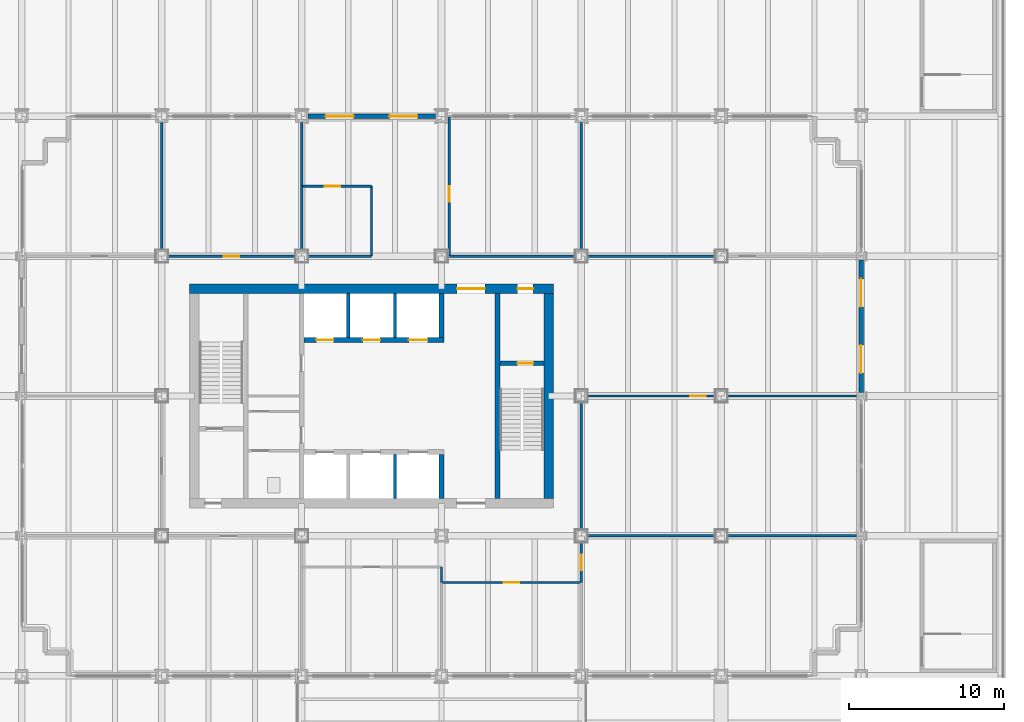
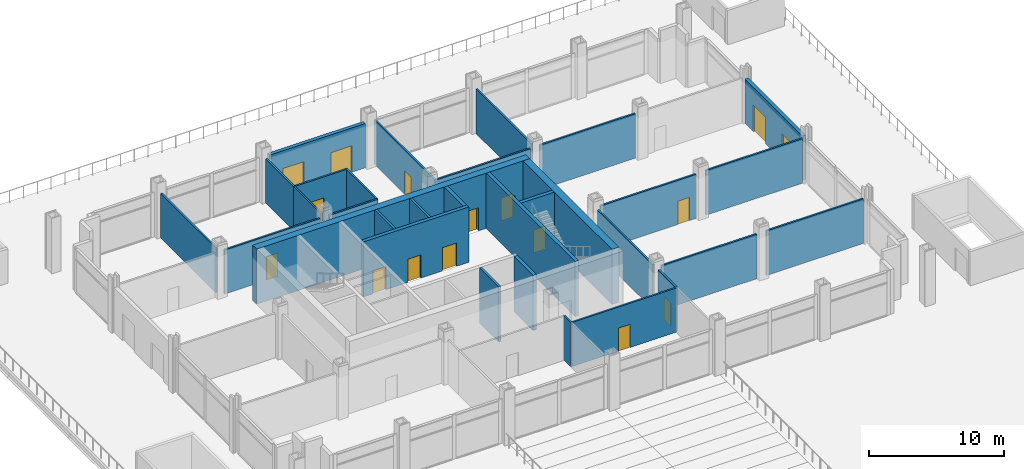
# One storey, part 9 of 16: 31 walls, 16 doors, 16 openings.
"""IFC4 building model written with IfcOpenShell, lengths in metres."""

from ifc_helpers import new_model, si_unit, direction, frame, frame_2d, origin, place, context, subcontext, project, spatial, rectangle, extrude, material, layer, layer_set, type_object, element, fill, save


model = new_model("IFC4")

# Units and contexts
model_context = context("Model", 3, precision=1e-05, world=origin(), true_north=direction((0.0, 1.0)))
body_context = subcontext(model_context, "Body", "Model", "MODEL_VIEW")
ifc_project = project(units=[si_unit("LENGTHUNIT", "METRE"), si_unit("AREAUNIT", "SQUARE_METRE"), si_unit("VOLUMEUNIT", "CUBIC_METRE"), si_unit("PLANEANGLEUNIT", "RADIAN"), si_unit("MASSUNIT", "GRAM", prefix="KILO")], contexts=[model_context])

# Site, building, storey
site_placement = place(None, origin())
site = spatial("IfcSite", under=ifc_project, at=site_placement, CompositionType="ELEMENT")
building_placement = place(site_placement, origin())
building = spatial("IfcBuilding", under=site, at=building_placement, Name="Loomwork Tower", CompositionType="ELEMENT")
storey_placement = place(building_placement, frame((0.0, 0.0, 23.0)))
storey = spatial("IfcBuildingStorey", under=building, at=storey_placement, Name="L04", CompositionType="ELEMENT", Elevation=23.0)

# Wall
ifc_material_1 = material(Name="Concrete 14000 psi (97 MPa)", Category="concrete")
ifc_layer_1 = layer(ifc_material_1, 0.300048828125)
ifc_layer_set_1 = layer_set([ifc_layer_1], Name="Core shear wall 300")
wall_type_1 = type_object("IfcWallType", Name="Core shear wall 300", PredefinedType="SHEAR", material=ifc_layer_set_1)
wall_1_placement = place(storey_placement, frame((27.0, 11.39990234375, 0.0), z_axis=(0.0, 0.0, 1.0), x_axis=(0.0, 1.0, 0.0)))
element("IfcWall", 1, at=wall_1_placement, inside=storey, type_object=wall_type_1, Name="Lift shaft end wall south L04", PredefinedType="SHEAR", context=body_context, shape_type="SweptSolid", body=[
    extrude(rectangle(XDim=2.85009765625, YDim=0.300048828125, at=frame_2d((1.425048828125, 0.0))), origin(), (0.0, 0.0, 1.0), 5.0),
])

# Wall, openings, doors
wall_2_placement = place(storey_placement, frame((18.14990234375, 21.60009765625, 0.0), z_axis=(0.0, 0.0, 1.0), x_axis=(1.0, 0.0, 0.0)))
wall_2 = element("IfcWall", 2, at=wall_2_placement, inside=storey, type_object=wall_type_1, Name="Lift front wall north L04", PredefinedType="SHEAR", context=body_context, shape_type="SweptSolid", body=[
    extrude(rectangle(XDim=9.0, YDim=0.300048828125, at=frame_2d((4.5, 0.0))), origin(), (0.0, 0.0, 1.0), 5.0),
])
opening_1_placement = place(wall_2_placement, frame((0.800048828125, 0.0, 0.0)))
opening_1 = element("IfcOpeningElement", 3, at=opening_1_placement, cuts=wall_2, Name="Opening LD1", PredefinedType="OPENING", context=body_context, shape_type="SweptSolid", body=[
    extrude(rectangle(XDim=1.10009765625, YDim=2.10009765625, at=frame_2d((0.550048828125, 1.050048828125))), frame((0.0, 0.159912109375, 0.0), z_axis=(0.0, -1.0, 0.0), x_axis=(1.0, 0.0, 0.0)), (0.0, 0.0, 1.0), 0.320068359375),
])
opening_2_placement = place(wall_2_placement, frame((3.800048828125, 0.0, 0.0)))
opening_2 = element("IfcOpeningElement", 4, at=opening_2_placement, cuts=wall_2, Name="Opening LD1", PredefinedType="OPENING", context=body_context, shape_type="SweptSolid", body=[
    extrude(rectangle(XDim=1.10009765625, YDim=2.10009765625, at=frame_2d((0.550048828125, 1.050048828125))), frame((0.0, 0.159912109375, 0.0), z_axis=(0.0, -1.0, 0.0), x_axis=(1.0, 0.0, 0.0)), (0.0, 0.0, 1.0), 0.320068359375),
])
opening_3_placement = place(wall_2_placement, frame((6.75, 0.0, 0.0)))
opening_3 = element("IfcOpeningElement", 5, at=opening_3_placement, cuts=wall_2, Name="Opening LD2", PredefinedType="OPENING", context=body_context, shape_type="SweptSolid", body=[
    extrude(rectangle(XDim=1.199951171875, YDim=2.10009765625, at=frame_2d((0.60009765625, 1.050048828125))), frame((0.0, 0.159912109375, 0.0), z_axis=(0.0, -1.0, 0.0), x_axis=(1.0, 0.0, 0.0)), (0.0, 0.0, 1.0), 0.320068359375),
])
ifc_material_2 = material(Name="Hollow metal door and frame")
door_type_1 = type_object("IfcDoorType", Name="Lift landing door 1100", OperationType="SLIDING_TO_LEFT", PredefinedType="DOOR", material=ifc_material_2)
door_1_placement = place(opening_1_placement, origin())
door_1 = element("IfcDoor", 6, at=door_1_placement, inside=storey, type_object=door_type_1, Name="Lift landing door LS1", OperationType="SLIDING_TO_LEFT", OverallHeight=2.10009765625, OverallWidth=1.10009765625, PredefinedType="DOOR", context=body_context, shape_type="SweptSolid", body=[
    extrude(rectangle(XDim=1.10009765625, YDim=2.10009765625, at=frame_2d((0.550048828125, 1.050048828125))), frame((0.0, 0.02490234375, 0.0), z_axis=(0.0, -1.0, 0.0), x_axis=(1.0, 0.0, 0.0)), (0.0, 0.0, 1.0), 0.050048828125),
])
fill(opening_1, door_1)
door_2_placement = place(opening_2_placement, origin())
door_2 = element("IfcDoor", 7, at=door_2_placement, inside=storey, type_object=door_type_1, Name="Lift landing door LS2", OperationType="SLIDING_TO_LEFT", OverallHeight=2.10009765625, OverallWidth=1.10009765625, PredefinedType="DOOR", context=body_context, shape_type="SweptSolid", body=[
    extrude(rectangle(XDim=1.10009765625, YDim=2.10009765625, at=frame_2d((0.550048828125, 1.050048828125))), frame((0.0, 0.02490234375, 0.0), z_axis=(0.0, -1.0, 0.0), x_axis=(1.0, 0.0, 0.0)), (0.0, 0.0, 1.0), 0.050048828125),
])
fill(opening_2, door_2)
ifc_material_3 = material(Name="Hollow metal door and frame")
door_type_2 = type_object("IfcDoorType", Name="Lift landing door 1200", OperationType="SLIDING_TO_LEFT", PredefinedType="DOOR", material=ifc_material_3)
door_3_placement = place(opening_3_placement, origin())
door_3 = element("IfcDoor", 8, at=door_3_placement, inside=storey, type_object=door_type_2, Name="Lift landing door LF2", OperationType="SLIDING_TO_LEFT", OverallHeight=2.10009765625, OverallWidth=1.199951171875, PredefinedType="DOOR", context=body_context, shape_type="SweptSolid", body=[
    extrude(rectangle(XDim=1.199951171875, YDim=2.10009765625, at=frame_2d((0.60009765625, 1.050048828125))), frame((0.0, 0.02490234375, 0.0), z_axis=(0.0, -1.0, 0.0), x_axis=(1.0, 0.0, 0.0)), (0.0, 0.0, 1.0), 0.050048828125),
])
fill(opening_3, door_3)

# Walls
wall_3_placement = place(storey_placement, frame((27.0, 21.75, 0.0), z_axis=(0.0, 0.0, 1.0), x_axis=(0.0, 1.0, 0.0)))
element("IfcWall", 9, at=wall_3_placement, inside=storey, type_object=wall_type_1, Name="Lift shaft end wall north L04", PredefinedType="SHEAR", context=body_context, shape_type="SweptSolid", body=[
    extrude(rectangle(XDim=2.85009765625, YDim=0.300048828125, at=frame_2d((1.425048828125, 0.0))), origin(), (0.0, 0.0, 1.0), 5.0),
])
wall_4_placement = place(storey_placement, frame((30.60009765625, 11.39990234375, 0.0), z_axis=(0.0, 0.0, 1.0), x_axis=(0.0, 1.0, 0.0)))
element("IfcWall", 10, at=wall_4_placement, inside=storey, type_object=wall_type_1, Name="Stair B west wall L04", PredefinedType="SHEAR", context=body_context, shape_type="SweptSolid", body=[
    extrude(rectangle(XDim=13.2001953125, YDim=0.300048828125, at=frame_2d((6.60009765625, 0.0))), origin(), (0.0, 0.0, 1.0), 5.0),
])

# Wall, opening, door
wall_5_placement = place(storey_placement, frame((30.75, 20.10009765625, 0.0), z_axis=(0.0, 0.0, 1.0), x_axis=(1.0, 0.0, 0.0)))
wall_5 = element("IfcWall", 11, at=wall_5_placement, inside=storey, type_object=wall_type_1, Name="Stair B north wall L04", PredefinedType="SHEAR", context=body_context, shape_type="SweptSolid", body=[
    extrude(rectangle(XDim=2.85009765625, YDim=0.300048828125, at=frame_2d((1.425048828125, 0.0))), origin(), (0.0, 0.0, 1.0), 5.0),
])
opening_4_placement = place(wall_5_placement, frame((1.14990234375, 0.0, 0.0)))
opening_4 = element("IfcOpeningElement", 12, at=opening_4_placement, cuts=wall_5, Name="Opening D4", PredefinedType="OPENING", context=body_context, shape_type="SweptSolid", body=[
    extrude(rectangle(XDim=1.0, YDim=2.10009765625, at=frame_2d((0.5, 1.050048828125))), frame((0.0, 0.159912109375, 0.0), z_axis=(0.0, -1.0, 0.0), x_axis=(1.0, 0.0, 0.0)), (0.0, 0.0, 1.0), 0.320068359375),
])
ifc_material_4 = material(Name="Hollow metal door and frame")
door_type_3 = type_object("IfcDoorType", Name="Stair door 1000", OperationType="SINGLE_SWING_RIGHT", PredefinedType="DOOR", material=ifc_material_4)
door_4_placement = place(opening_4_placement, frame((1.0, 0.0, 0.0), z_axis=(0.0, 0.0, 1.0), x_axis=(-1.0, 0.0, 0.0)))
door_4 = element("IfcDoor", 13, at=door_4_placement, inside=storey, type_object=door_type_3, Name="Stair B door", OperationType="SINGLE_SWING_LEFT", OverallHeight=2.10009765625, OverallWidth=1.0, PredefinedType="DOOR", context=body_context, shape_type="SweptSolid", body=[
    extrude(rectangle(XDim=1.0, YDim=2.10009765625, at=frame_2d((0.5, 1.050048828125))), frame((0.0, 0.02490234375, 0.0), z_axis=(0.0, -1.0, 0.0), x_axis=(1.0, 0.0, 0.0)), (0.0, 0.0, 1.0), 0.050048828125),
])
fill(opening_4, door_4)

# Wall, openings, doors
ifc_material_5 = material(Name="Concrete 14000 psi (97 MPa)", Category="concrete")
ifc_layer_2 = layer(ifc_material_5, 0.60009765625)
ifc_layer_set_2 = layer_set([ifc_layer_2], Name="Core shear wall 600")
wall_type_2 = type_object("IfcWallType", Name="Core shear wall 600", PredefinedType="SHEAR", material=ifc_layer_set_2)
wall_6_placement = place(storey_placement, frame((10.800048828125, 24.89990234375, 0.0), z_axis=(0.0, 0.0, 1.0), x_axis=(1.0, 0.0, 0.0)))
wall_6 = element("IfcWall", 14, at=wall_6_placement, inside=storey, type_object=wall_type_2, Name="Core wall north L04", PredefinedType="SHEAR", context=body_context, shape_type="SweptSolid", body=[
    extrude(rectangle(XDim=23.39990234375, YDim=0.60009765625, at=frame_2d((11.699951171875, 0.0))), origin(), (0.0, 0.0, 1.0), 5.0),
])
opening_5_placement = place(wall_6_placement, frame((17.199951171875, 0.0, 0.0)))
opening_5 = element("IfcOpeningElement", 15, at=opening_5_placement, cuts=wall_6, Name="Opening D6", PredefinedType="OPENING", context=body_context, shape_type="SweptSolid", body=[
    extrude(rectangle(XDim=1.800048828125, YDim=2.10009765625, at=frame_2d((0.89990234375, 1.050048828125))), frame((0.0, 0.31005859375, 0.0), z_axis=(0.0, -1.0, 0.0), x_axis=(1.0, 0.0, 0.0)), (0.0, 0.0, 1.0), 0.6201171875),
])
opening_6_placement = place(wall_6_placement, frame((21.10009765625, 0.0, 0.0)))
opening_6 = element("IfcOpeningElement", 16, at=opening_6_placement, cuts=wall_6, Name="Opening D4", PredefinedType="OPENING", context=body_context, shape_type="SweptSolid", body=[
    extrude(rectangle(XDim=1.0, YDim=2.10009765625, at=frame_2d((0.5, 1.050048828125))), frame((0.0, 0.31005859375, 0.0), z_axis=(0.0, -1.0, 0.0), x_axis=(1.0, 0.0, 0.0)), (0.0, 0.0, 1.0), 0.6201171875),
])
ifc_material_6 = material(Name="Hollow metal door and frame")
door_type_4 = type_object("IfcDoorType", Name="Lobby passage double door 1800", OperationType="DOUBLE_DOOR_SINGLE_SWING", PredefinedType="DOOR", material=ifc_material_6)
door_5_placement = place(opening_5_placement, frame((1.800048828125, 0.0, 0.0), z_axis=(0.0, 0.0, 1.0), x_axis=(-1.0, 0.0, 0.0)))
door_5 = element("IfcDoor", 17, at=door_5_placement, inside=storey, type_object=door_type_4, Name="Lobby passage door north", OperationType="DOUBLE_DOOR_SINGLE_SWING", OverallHeight=2.10009765625, OverallWidth=1.800048828125, PredefinedType="DOOR", context=body_context, shape_type="SweptSolid", body=[
    extrude(rectangle(XDim=1.800048828125, YDim=2.10009765625, at=frame_2d((0.89990234375, 1.050048828125))), frame((0.0, 0.02490234375, 0.0), z_axis=(0.0, -1.0, 0.0), x_axis=(1.0, 0.0, 0.0)), (0.0, 0.0, 1.0), 0.050048828125),
])
fill(opening_5, door_5)
door_6_placement = place(opening_6_placement, frame((1.0, 0.0, 0.0), z_axis=(0.0, 0.0, 1.0), x_axis=(-1.0, 0.0, 0.0)))
door_6 = element("IfcDoor", 18, at=door_6_placement, inside=storey, type_object=door_type_3, Name="Stair B vestibule door", OperationType="SINGLE_SWING_LEFT", OverallHeight=2.10009765625, OverallWidth=1.0, PredefinedType="DOOR", context=body_context, shape_type="SweptSolid", body=[
    extrude(rectangle(XDim=1.0, YDim=2.10009765625, at=frame_2d((0.5, 1.050048828125))), frame((0.0, 0.02490234375, 0.0), z_axis=(0.0, -1.0, 0.0), x_axis=(1.0, 0.0, 0.0)), (0.0, 0.0, 1.0), 0.050048828125),
])
fill(opening_6, door_6)

# Walls
wall_7_placement = place(storey_placement, frame((33.89990234375, 11.39990234375, 0.0), z_axis=(0.0, 0.0, 1.0), x_axis=(0.0, 1.0, 0.0)))
element("IfcWall", 19, at=wall_7_placement, inside=storey, type_object=wall_type_2, Name="Core wall east L04", PredefinedType="SHEAR", context=body_context, shape_type="SweptSolid", body=[
    extrude(rectangle(XDim=13.2001953125, YDim=0.60009765625, at=frame_2d((6.60009765625, 0.0))), origin(), (0.0, 0.0, 1.0), 5.0),
])
ifc_material_7 = material(Name="Concrete 14000 psi (97 MPa)", Category="concrete")
ifc_layer_3 = layer(ifc_material_7, 0.199951171875)
ifc_layer_set_3 = layer_set([ifc_layer_3], Name="Lift shaft wall 200")
wall_type_3 = type_object("IfcWallType", Name="Lift shaft wall 200", PredefinedType="SHEAR", material=ifc_layer_set_3)
for number, where, z_axis, x_axis, name in (
    (20, (24.0, 11.39990234375, 0.0), (0.0, 0.0, 1.0), (0.0, 1.0, 0.0), "Lift shaft separation wall south 2 L04"),
    (21, (21.0, 21.75, 0.0), (0.0, 0.0, 1.0), (0.0, 1.0, 0.0), "Lift shaft separation wall north 1 L04"),
    (22, (24.0, 21.75, 0.0), (0.0, 0.0, 1.0), (0.0, 1.0, 0.0), "Lift shaft separation wall north 2 L04"),
):
    element("IfcWall", number, at=place(storey_placement, frame(where, z_axis=z_axis, x_axis=x_axis)), inside=storey, type_object=wall_type_3, Name=name, PredefinedType="SHEAR", context=body_context, shape_type="SweptSolid", body=[
        extrude(rectangle(XDim=2.85009765625, YDim=0.199951171875, at=frame_2d((1.425048828125, 0.0))), origin(), (0.0, 0.0, 1.0), 5.0),
    ])

# Wall, opening, door
ifc_material_8 = material(Name="Gypsum board on steel studs, one-hour", Category="steel")
ifc_layer_4 = layer(ifc_material_8, 0.14990234375)
ifc_layer_set_4 = layer_set([ifc_layer_4], Name="Partition 150")
wall_type_4 = type_object("IfcWallType", Name="Partition 150", PredefinedType="PARTITIONING", material=ifc_layer_set_4)
wall_8_placement = place(storey_placement, frame((17.60009765625, 27.0, 0.0), z_axis=(0.0, 0.0, 1.0), x_axis=(-1.0, 0.0, 0.0)))
wall_8 = element("IfcWall", 23, at=wall_8_placement, inside=storey, type_object=wall_type_4, Name="Partition L04 6.1", PredefinedType="PARTITIONING", context=body_context, shape_type="SweptSolid", body=[
    extrude(rectangle(XDim=8.2001953125, YDim=0.14990234375, at=frame_2d((4.10009765625, 0.0))), origin(), (0.0, 0.0, 1.0), 4.0048828125),
])
opening_7_placement = place(wall_8_placement, frame((3.60009765625, 0.0, 0.0)))
opening_7 = element("IfcOpeningElement", 24, at=opening_7_placement, cuts=wall_8, Name="Opening D8", PredefinedType="OPENING", context=body_context, shape_type="SweptSolid", body=[
    extrude(rectangle(XDim=1.0, YDim=2.10009765625, at=frame_2d((0.5, 1.050048828125))), frame((0.0, 0.0849609375, 0.0), z_axis=(0.0, -1.0, 0.0), x_axis=(1.0, 0.0, 0.0)), (0.0, 0.0, 1.0), 0.169921875),
])
ifc_material_9 = material(Name="Hollow metal door and frame")
door_type_5 = type_object("IfcDoorType", Name="WC door 1000", OperationType="SINGLE_SWING_LEFT", PredefinedType="DOOR", material=ifc_material_9)
door_7_placement = place(opening_7_placement, frame((1.0, 0.0, 0.0), z_axis=(0.0, 0.0, 1.0), x_axis=(-1.0, 0.0, 0.0)))
door_7 = element("IfcDoor", 25, at=door_7_placement, inside=storey, type_object=door_type_5, Name="Public WC women door", OperationType="SINGLE_SWING_RIGHT", OverallHeight=2.10009765625, OverallWidth=1.0, PredefinedType="DOOR", context=body_context, shape_type="SweptSolid", body=[
    extrude(rectangle(XDim=1.0, YDim=2.10009765625, at=frame_2d((0.5, 1.050048828125))), frame((0.0, 0.02490234375, 0.0), z_axis=(0.0, -1.0, 0.0), x_axis=(1.0, 0.0, 0.0)), (0.0, 0.0, 1.0), 0.050048828125),
])
fill(opening_7, door_7)

# Walls
wall_9_placement = place(storey_placement, frame((9.0, 35.60009765625, 0.0), z_axis=(0.0, 0.0, 1.0), x_axis=(0.0, -1.0, 0.0)))
element("IfcWall", 26, at=wall_9_placement, inside=storey, type_object=wall_type_4, Name="Partition L04 7.1", PredefinedType="PARTITIONING", context=body_context, shape_type="SweptSolid", body=[
    extrude(rectangle(XDim=8.2001953125, YDim=0.14990234375, at=frame_2d((4.10009765625, 0.0))), origin(), (0.0, 0.0, 1.0), 4.0380859375),
])
for number, where, z_axis, x_axis, name in (
    (27, (22.5, 27.0, 0.0), (0.0, 0.0, 1.0), (-1.0, 0.0, 0.0), "Partition L04 11.1"),
    (28, (18.0, 31.5, 0.0), (0.0, 0.0, 1.0), (0.0, -1.0, 0.0), "Partition L04 12.1"),
):
    element("IfcWall", number, at=place(storey_placement, frame(where, z_axis=z_axis, x_axis=x_axis)), inside=storey, type_object=wall_type_4, Name=name, PredefinedType="PARTITIONING", context=body_context, shape_type="SweptSolid", body=[
        extrude(rectangle(XDim=4.10009765625, YDim=0.14990234375, at=frame_2d((2.050048828125, 0.0))), origin(), (0.0, 0.0, 1.0), 4.0048828125),
    ])

# Wall, opening, door
wall_10_placement = place(storey_placement, frame((18.0, 31.5, 0.0), z_axis=(0.0, 0.0, 1.0), x_axis=(1.0, 0.0, 0.0)))
wall_10 = element("IfcWall", 29, at=wall_10_placement, inside=storey, type_object=wall_type_4, Name="Partition L04 13.1", PredefinedType="PARTITIONING", context=body_context, shape_type="SweptSolid", body=[
    extrude(rectangle(XDim=4.5, YDim=0.14990234375, at=frame_2d((2.25, 0.0))), origin(), (0.0, 0.0, 1.0), 4.00390625),
])
opening_8_placement = place(wall_10_placement, frame((1.5, 0.0, 0.0)))
opening_8 = element("IfcOpeningElement", 30, at=opening_8_placement, cuts=wall_10, Name="Opening D8", PredefinedType="OPENING", context=body_context, shape_type="SweptSolid", body=[
    extrude(rectangle(XDim=1.0, YDim=2.10009765625, at=frame_2d((0.5, 1.050048828125))), frame((0.0, 0.0849609375, 0.0), z_axis=(0.0, -1.0, 0.0), x_axis=(1.0, 0.0, 0.0)), (0.0, 0.0, 1.0), 0.169921875),
])
door_8_placement = place(opening_8_placement, frame((1.0, 0.0, 0.0), z_axis=(0.0, 0.0, 1.0), x_axis=(-1.0, 0.0, 0.0)))
door_8 = element("IfcDoor", 31, at=door_8_placement, inside=storey, type_object=door_type_5, Name="Accessible WC door", OperationType="SINGLE_SWING_RIGHT", OverallHeight=2.10009765625, OverallWidth=1.0, PredefinedType="DOOR", context=body_context, shape_type="SweptSolid", body=[
    extrude(rectangle(XDim=1.0, YDim=2.10009765625, at=frame_2d((0.5, 1.050048828125))), frame((0.0, 0.02490234375, 0.0), z_axis=(0.0, -1.0, 0.0), x_axis=(1.0, 0.0, 0.0)), (0.0, 0.0, 1.0), 0.050048828125),
])
fill(opening_8, door_8)

# Walls
wall_11_placement = place(storey_placement, frame((18.0, 35.60009765625, 0.0), z_axis=(0.0, 0.0, 1.0), x_axis=(0.0, -1.0, 0.0)))
element("IfcWall", 32, at=wall_11_placement, inside=storey, type_object=wall_type_4, Name="Partition L04 14.1", PredefinedType="PARTITIONING", context=body_context, shape_type="SweptSolid", body=[
    extrude(rectangle(XDim=4.10009765625, YDim=0.14990234375, at=frame_2d((2.050048828125, 0.0))), origin(), (0.0, 0.0, 1.0), 4.0048828125),
])
wall_12_placement = place(storey_placement, frame((22.5, 31.5, 0.0), z_axis=(0.0, 0.0, 1.0), x_axis=(0.0, -1.0, 0.0)))
element("IfcWall", 33, at=wall_12_placement, inside=storey, type_object=wall_type_4, Name="Partition L04 15.1", PredefinedType="PARTITIONING", context=body_context, shape_type="SweptSolid", body=[
    extrude(rectangle(XDim=4.5, YDim=0.14990234375, at=frame_2d((2.25, 0.0))), origin(), (0.0, 0.0, 1.0), 4.00390625),
])
wall_13_placement = place(storey_placement, frame((27.0, 7.0, 0.0), z_axis=(0.0, 0.0, 1.0), x_axis=(0.0, -1.0, 0.0)))
element("IfcWall", 34, at=wall_13_placement, inside=storey, type_object=wall_type_4, Name="Partition L04 17.1", PredefinedType="PARTITIONING", context=body_context, shape_type="SweptSolid", body=[
    extrude(rectangle(XDim=1.0, YDim=0.14990234375, at=frame_2d((0.5, 0.0))), origin(), (0.0, 0.0, 1.0), 4.0048828125),
])

# Wall, opening, door
wall_14_placement = place(storey_placement, frame((27.0, 6.0, 0.0), z_axis=(0.0, 0.0, 1.0), x_axis=(1.0, 0.0, 0.0)))
wall_14 = element("IfcWall", 35, at=wall_14_placement, inside=storey, type_object=wall_type_4, Name="Partition L04 18.1", PredefinedType="PARTITIONING", context=body_context, shape_type="SweptSolid", body=[
    extrude(rectangle(XDim=9.0, YDim=0.14990234375, at=frame_2d((4.5, 0.0))), origin(), (0.0, 0.0, 1.0), 4.00390625),
])
opening_9_placement = place(wall_14_placement, frame((4.0, 0.0, 0.0)))
opening_9 = element("IfcOpeningElement", 36, at=opening_9_placement, cuts=wall_14, Name="Opening D7", PredefinedType="OPENING", context=body_context, shape_type="SweptSolid", body=[
    extrude(rectangle(XDim=1.0, YDim=2.10009765625, at=frame_2d((0.5, 1.050048828125))), frame((0.0, 0.0849609375, 0.0), z_axis=(0.0, -1.0, 0.0), x_axis=(1.0, 0.0, 0.0)), (0.0, 0.0, 1.0), 0.169921875),
])
ifc_material_10 = material(Name="Hollow metal door and frame")
door_type_6 = type_object("IfcDoorType", Name="Room door 1000", OperationType="SINGLE_SWING_LEFT", PredefinedType="DOOR", material=ifc_material_10)
door_9_placement = place(opening_9_placement, frame((1.0, 0.0, 0.0), z_axis=(0.0, 0.0, 1.0), x_axis=(-1.0, 0.0, 0.0)))
door_9 = element("IfcDoor", 37, at=door_9_placement, inside=storey, type_object=door_type_6, Name="Concierge and guest services door", OperationType="SINGLE_SWING_RIGHT", OverallHeight=2.10009765625, OverallWidth=1.0, PredefinedType="DOOR", context=body_context, shape_type="SweptSolid", body=[
    extrude(rectangle(XDim=1.0, YDim=2.10009765625, at=frame_2d((0.5, 1.050048828125))), frame((0.0, 0.02490234375, 0.0), z_axis=(0.0, -1.0, 0.0), x_axis=(1.0, 0.0, 0.0)), (0.0, 0.0, 1.0), 0.050048828125),
])
fill(opening_9, door_9)

# Wall
wall_15_placement = place(storey_placement, frame((35.60009765625, 27.0, 0.0), z_axis=(0.0, 0.0, 1.0), x_axis=(-1.0, 0.0, 0.0)))
element("IfcWall", 38, at=wall_15_placement, inside=storey, type_object=wall_type_4, Name="Partition L04 19.1", PredefinedType="PARTITIONING", context=body_context, shape_type="SweptSolid", body=[
    extrude(rectangle(XDim=8.10009765625, YDim=0.14990234375, at=frame_2d((4.050048828125, 0.0))), origin(), (0.0, 0.0, 1.0), 4.0048828125),
])

# Wall, opening, door
wall_16_placement = place(storey_placement, frame((27.5, 27.0, 0.0), z_axis=(0.0, 0.0, 1.0), x_axis=(0.0, 1.0, 0.0)))
wall_16 = element("IfcWall", 39, at=wall_16_placement, inside=storey, type_object=wall_type_4, Name="Partition L04 20.1", PredefinedType="PARTITIONING", context=body_context, shape_type="SweptSolid", body=[
    extrude(rectangle(XDim=9.0, YDim=0.14990234375, at=frame_2d((4.5, 0.0))), origin(), (0.0, 0.0, 1.0), 4.00390625),
])
opening_10_placement = place(wall_16_placement, frame((3.5, 0.0, 0.0)))
opening_10 = element("IfcOpeningElement", 40, at=opening_10_placement, cuts=wall_16, Name="Opening D7", PredefinedType="OPENING", context=body_context, shape_type="SweptSolid", body=[
    extrude(rectangle(XDim=1.0, YDim=2.10009765625, at=frame_2d((0.5, 1.050048828125))), frame((0.0, 0.0849609375, 0.0), z_axis=(0.0, -1.0, 0.0), x_axis=(1.0, 0.0, 0.0)), (0.0, 0.0, 1.0), 0.169921875),
])
door_10_placement = place(opening_10_placement, origin())
door_10 = element("IfcDoor", 41, at=door_10_placement, inside=storey, type_object=door_type_6, Name="Private dining room door", OperationType="SINGLE_SWING_LEFT", OverallHeight=2.10009765625, OverallWidth=1.0, PredefinedType="DOOR", context=body_context, shape_type="SweptSolid", body=[
    extrude(rectangle(XDim=1.0, YDim=2.10009765625, at=frame_2d((0.5, 1.050048828125))), frame((0.0, 0.02490234375, 0.0), z_axis=(0.0, -1.0, 0.0), x_axis=(1.0, 0.0, 0.0)), (0.0, 0.0, 1.0), 0.050048828125),
])
fill(opening_10, door_10)

wall_17_placement = place(storey_placement, frame((36.0, 6.0, 0.0), z_axis=(0.0, 0.0, 1.0), x_axis=(0.0, 1.0, 0.0)))
wall_17 = element("IfcWall", 42, at=wall_17_placement, inside=storey, type_object=wall_type_4, Name="Partition L04 22.1", PredefinedType="PARTITIONING", context=body_context, shape_type="SweptSolid", body=[
    extrude(rectangle(XDim=2.60009765625, YDim=0.14990234375, at=frame_2d((1.300048828125, 0.0))), origin(), (0.0, 0.0, 1.0), 4.0380859375),
])
opening_11_placement = place(wall_17_placement, frame((0.800048828125, 0.0, 0.0)))
opening_11 = element("IfcOpeningElement", 43, at=opening_11_placement, cuts=wall_17, Name="Opening D7", PredefinedType="OPENING", context=body_context, shape_type="SweptSolid", body=[
    extrude(rectangle(XDim=1.0, YDim=2.10009765625, at=frame_2d((0.5, 1.050048828125))), frame((0.0, 0.0849609375, 0.0), z_axis=(0.0, -1.0, 0.0), x_axis=(1.0, 0.0, 0.0)), (0.0, 0.0, 1.0), 0.169921875),
])
door_11_placement = place(opening_11_placement, frame((1.0, 0.0, 0.0), z_axis=(0.0, 0.0, 1.0), x_axis=(-1.0, 0.0, 0.0)))
door_11 = element("IfcDoor", 44, at=door_11_placement, inside=storey, type_object=door_type_6, Name="Spa door", OperationType="SINGLE_SWING_RIGHT", OverallHeight=2.10009765625, OverallWidth=1.0, PredefinedType="DOOR", context=body_context, shape_type="SweptSolid", body=[
    extrude(rectangle(XDim=1.0, YDim=2.10009765625, at=frame_2d((0.5, 1.050048828125))), frame((0.0, 0.02490234375, 0.0), z_axis=(0.0, -1.0, 0.0), x_axis=(1.0, 0.0, 0.0)), (0.0, 0.0, 1.0), 0.050048828125),
])
fill(opening_11, door_11)

# Walls
wall_18_placement = place(storey_placement, frame((36.39990234375, 9.0, 0.0), z_axis=(0.0, 0.0, 1.0), x_axis=(1.0, 0.0, 0.0)))
element("IfcWall", 45, at=wall_18_placement, inside=storey, type_object=wall_type_4, Name="Partition L04 23.1", PredefinedType="PARTITIONING", context=body_context, shape_type="SweptSolid", body=[
    extrude(rectangle(XDim=8.2001953125, YDim=0.14990234375, at=frame_2d((4.10009765625, 0.0))), origin(), (0.0, 0.0, 1.0), 4.0380859375),
])
wall_19_placement = place(storey_placement, frame((45.39990234375, 9.0, 0.0), z_axis=(0.0, 0.0, 1.0), x_axis=(1.0, 0.0, 0.0)))
element("IfcWall", 46, at=wall_19_placement, inside=storey, type_object=wall_type_4, Name="Partition L04 23.2", PredefinedType="PARTITIONING", context=body_context, shape_type="SweptSolid", body=[
    extrude(rectangle(XDim=8.30029296875, YDim=0.14990234375, at=frame_2d((4.150146484375, 0.0))), origin(), (0.0, 0.0, 1.0), 4.0380859375),
])
wall_20_placement = place(storey_placement, frame((36.0, 9.39990234375, 0.0), z_axis=(0.0, 0.0, 1.0), x_axis=(0.0, 1.0, 0.0)))
element("IfcWall", 47, at=wall_20_placement, inside=storey, type_object=wall_type_4, Name="Partition L04 24.1", PredefinedType="PARTITIONING", context=body_context, shape_type="SweptSolid", body=[
    extrude(rectangle(XDim=8.2001953125, YDim=0.14990234375, at=frame_2d((4.10009765625, 0.0))), origin(), (0.0, 0.0, 1.0), 4.0048828125),
])

# Wall, opening, door
wall_21_placement = place(storey_placement, frame((36.39990234375, 18.0, 0.0), z_axis=(0.0, 0.0, 1.0), x_axis=(1.0, 0.0, 0.0)))
wall_21 = element("IfcWall", 48, at=wall_21_placement, inside=storey, type_object=wall_type_4, Name="Partition L04 25.1", PredefinedType="PARTITIONING", context=body_context, shape_type="SweptSolid", body=[
    extrude(rectangle(XDim=8.2001953125, YDim=0.14990234375, at=frame_2d((4.10009765625, 0.0))), origin(), (0.0, 0.0, 1.0), 4.0048828125),
])
opening_12_placement = place(wall_21_placement, frame((6.60009765625, 0.0, 0.0)))
opening_12 = element("IfcOpeningElement", 49, at=opening_12_placement, cuts=wall_21, Name="Opening D7", PredefinedType="OPENING", context=body_context, shape_type="SweptSolid", body=[
    extrude(rectangle(XDim=1.0, YDim=2.10009765625, at=frame_2d((0.5, 1.050048828125))), frame((0.0, 0.0849609375, 0.0), z_axis=(0.0, -1.0, 0.0), x_axis=(1.0, 0.0, 0.0)), (0.0, 0.0, 1.0), 0.169921875),
])
door_12_placement = place(opening_12_placement, origin())
door_12 = element("IfcDoor", 50, at=door_12_placement, inside=storey, type_object=door_type_6, Name="All-day restaurant door", OperationType="SINGLE_SWING_LEFT", OverallHeight=2.10009765625, OverallWidth=1.0, PredefinedType="DOOR", context=body_context, shape_type="SweptSolid", body=[
    extrude(rectangle(XDim=1.0, YDim=2.10009765625, at=frame_2d((0.5, 1.050048828125))), frame((0.0, 0.02490234375, 0.0), z_axis=(0.0, -1.0, 0.0), x_axis=(1.0, 0.0, 0.0)), (0.0, 0.0, 1.0), 0.050048828125),
])
fill(opening_12, door_12)

# Walls
wall_22_placement = place(storey_placement, frame((45.39990234375, 18.0, 0.0), z_axis=(0.0, 0.0, 1.0), x_axis=(1.0, 0.0, 0.0)))
element("IfcWall", 51, at=wall_22_placement, inside=storey, type_object=wall_type_4, Name="Partition L04 25.2", PredefinedType="PARTITIONING", context=body_context, shape_type="SweptSolid", body=[
    extrude(rectangle(XDim=8.30029296875, YDim=0.14990234375, at=frame_2d((4.150146484375, 0.0))), origin(), (0.0, 0.0, 1.0), 4.0380859375),
])
for number, where, z_axis, x_axis, name in (
    (52, (44.60009765625, 27.0, 0.0), (0.0, 0.0, 1.0), (-1.0, 0.0, 0.0), "Partition L04 26.2"),
    (53, (36.0, 35.60009765625, 0.0), (0.0, 0.0, 1.0), (0.0, -1.0, 0.0), "Partition L04 27.1"),
):
    element("IfcWall", number, at=place(storey_placement, frame(where, z_axis=z_axis, x_axis=x_axis)), inside=storey, type_object=wall_type_4, Name=name, PredefinedType="PARTITIONING", context=body_context, shape_type="SweptSolid", body=[
        extrude(rectangle(XDim=8.2001953125, YDim=0.14990234375, at=frame_2d((4.10009765625, 0.0))), origin(), (0.0, 0.0, 1.0), 4.0380859375),
    ])

# Wall, openings, doors
ifc_material_11 = material(Name="Limestone on concrete masonry", Category="masonry")
ifc_layer_5 = layer(ifc_material_11, 0.300048828125)
ifc_layer_set_5 = layer_set([ifc_layer_5], Name="Terrace door screen wall 300")
wall_type_5 = type_object("IfcWallType", Name="Terrace door screen wall 300", PredefinedType="SOLIDWALL", material=ifc_layer_set_5)
wall_23_placement = place(storey_placement, frame((54.0, 18.23876953125, 0.0), z_axis=(0.0, 0.0, 1.0), x_axis=(0.0, 1.0, 0.0)))
wall_23 = element("IfcWall", 54, at=wall_23_placement, inside=storey, type_object=wall_type_5, Name="Terrace door screen E", PredefinedType="SOLIDWALL", context=body_context, shape_type="SweptSolid", body=[
    extrude(rectangle(XDim=8.5224609375, YDim=0.300048828125, at=frame_2d((4.26123046875, 0.0))), origin(), (0.0, 0.0, 1.0), 4.020263671875),
])
opening_13_placement = place(wall_23_placement, frame((1.230712890625, 0.0, 0.0)))
opening_13 = element("IfcOpeningElement", 55, at=opening_13_placement, cuts=wall_23, Name="Opening D13", PredefinedType="OPENING", context=body_context, shape_type="SweptSolid", body=[
    extrude(rectangle(XDim=1.800048828125, YDim=2.39990234375, at=frame_2d((0.89990234375, 1.199951171875))), frame((0.0, 0.159912109375, 0.0), z_axis=(0.0, -1.0, 0.0), x_axis=(1.0, 0.0, 0.0)), (0.0, 0.0, 1.0), 0.320068359375),
])
opening_14_placement = place(wall_23_placement, frame((5.491943359375, 0.0, 0.0)))
opening_14 = element("IfcOpeningElement", 56, at=opening_14_placement, cuts=wall_23, Name="Opening D13", PredefinedType="OPENING", context=body_context, shape_type="SweptSolid", body=[
    extrude(rectangle(XDim=1.800048828125, YDim=2.39990234375, at=frame_2d((0.89990234375, 1.199951171875))), frame((0.0, 0.159912109375, 0.0), z_axis=(0.0, -1.0, 0.0), x_axis=(1.0, 0.0, 0.0)), (0.0, 0.0, 1.0), 0.320068359375),
])
ifc_material_12 = material(Name="Hollow metal door and frame")
door_type_7 = type_object("IfcDoorType", Name="Terrace door 1800", OperationType="DOUBLE_DOOR_SINGLE_SWING", PredefinedType="DOOR", material=ifc_material_12)
door_13_placement = place(opening_13_placement, frame((1.800048828125, 0.0, 0.0), z_axis=(0.0, 0.0, 1.0), x_axis=(-1.0, 0.0, 0.0)))
door_13 = element("IfcDoor", 57, at=door_13_placement, inside=storey, type_object=door_type_7, Name="Terrace door E 1", OperationType="DOUBLE_DOOR_SINGLE_SWING", OverallHeight=2.39990234375, OverallWidth=1.800048828125, PredefinedType="DOOR", context=body_context, shape_type="SweptSolid", body=[
    extrude(rectangle(XDim=1.800048828125, YDim=2.39990234375, at=frame_2d((0.89990234375, 1.199951171875))), frame((0.0, 0.02490234375, 0.0), z_axis=(0.0, -1.0, 0.0), x_axis=(1.0, 0.0, 0.0)), (0.0, 0.0, 1.0), 0.050048828125),
])
fill(opening_13, door_13)
door_14_placement = place(opening_14_placement, frame((1.800048828125, 0.0, 0.0), z_axis=(0.0, 0.0, 1.0), x_axis=(-1.0, 0.0, 0.0)))
door_14 = element("IfcDoor", 58, at=door_14_placement, inside=storey, type_object=door_type_7, Name="Terrace door E 2", OperationType="DOUBLE_DOOR_SINGLE_SWING", OverallHeight=2.39990234375, OverallWidth=1.800048828125, PredefinedType="DOOR", context=body_context, shape_type="SweptSolid", body=[
    extrude(rectangle(XDim=1.800048828125, YDim=2.39990234375, at=frame_2d((0.89990234375, 1.199951171875))), frame((0.0, 0.02490234375, 0.0), z_axis=(0.0, -1.0, 0.0), x_axis=(1.0, 0.0, 0.0)), (0.0, 0.0, 1.0), 0.050048828125),
])
fill(opening_14, door_14)

wall_24_placement = place(storey_placement, frame((18.39990234375, 36.0, 0.0), z_axis=(0.0, 0.0, 1.0), x_axis=(1.0, 0.0, 0.0)))
wall_24 = element("IfcWall", 59, at=wall_24_placement, inside=storey, type_object=wall_type_5, Name="Terrace door screen N", PredefinedType="SOLIDWALL", context=body_context, shape_type="SweptSolid", body=[
    extrude(rectangle(XDim=8.2001953125, YDim=0.300048828125, at=frame_2d((4.10009765625, 0.0))), origin(), (0.0, 0.0, 1.0), 4.020263671875),
])
opening_15_placement = place(wall_24_placement, frame((1.14990234375, 0.0, 0.0)))
opening_15 = element("IfcOpeningElement", 60, at=opening_15_placement, cuts=wall_24, Name="Opening D13", PredefinedType="OPENING", context=body_context, shape_type="SweptSolid", body=[
    extrude(rectangle(XDim=1.800048828125, YDim=2.39990234375, at=frame_2d((0.89990234375, 1.199951171875))), frame((0.0, 0.159912109375, 0.0), z_axis=(0.0, -1.0, 0.0), x_axis=(1.0, 0.0, 0.0)), (0.0, 0.0, 1.0), 0.320068359375),
])
opening_16_placement = place(wall_24_placement, frame((5.25, 0.0, 0.0)))
opening_16 = element("IfcOpeningElement", 61, at=opening_16_placement, cuts=wall_24, Name="Opening D13", PredefinedType="OPENING", context=body_context, shape_type="SweptSolid", body=[
    extrude(rectangle(XDim=1.800048828125, YDim=2.39990234375, at=frame_2d((0.89990234375, 1.199951171875))), frame((0.0, 0.159912109375, 0.0), z_axis=(0.0, -1.0, 0.0), x_axis=(1.0, 0.0, 0.0)), (0.0, 0.0, 1.0), 0.320068359375),
])
door_15_placement = place(opening_15_placement, origin())
door_15 = element("IfcDoor", 62, at=door_15_placement, inside=storey, type_object=door_type_7, Name="Terrace door N 1", OperationType="DOUBLE_DOOR_SINGLE_SWING", OverallHeight=2.39990234375, OverallWidth=1.800048828125, PredefinedType="DOOR", context=body_context, shape_type="SweptSolid", body=[
    extrude(rectangle(XDim=1.800048828125, YDim=2.39990234375, at=frame_2d((0.89990234375, 1.199951171875))), frame((0.0, 0.02490234375, 0.0), z_axis=(0.0, -1.0, 0.0), x_axis=(1.0, 0.0, 0.0)), (0.0, 0.0, 1.0), 0.050048828125),
])
fill(opening_15, door_15)
door_16_placement = place(opening_16_placement, origin())
door_16 = element("IfcDoor", 63, at=door_16_placement, inside=storey, type_object=door_type_7, Name="Terrace door N 2", OperationType="DOUBLE_DOOR_SINGLE_SWING", OverallHeight=2.39990234375, OverallWidth=1.800048828125, PredefinedType="DOOR", context=body_context, shape_type="SweptSolid", body=[
    extrude(rectangle(XDim=1.800048828125, YDim=2.39990234375, at=frame_2d((0.89990234375, 1.199951171875))), frame((0.0, 0.02490234375, 0.0), z_axis=(0.0, -1.0, 0.0), x_axis=(1.0, 0.0, 0.0)), (0.0, 0.0, 1.0), 0.050048828125),
])
fill(opening_16, door_16)

save(model, "model.ifc")
